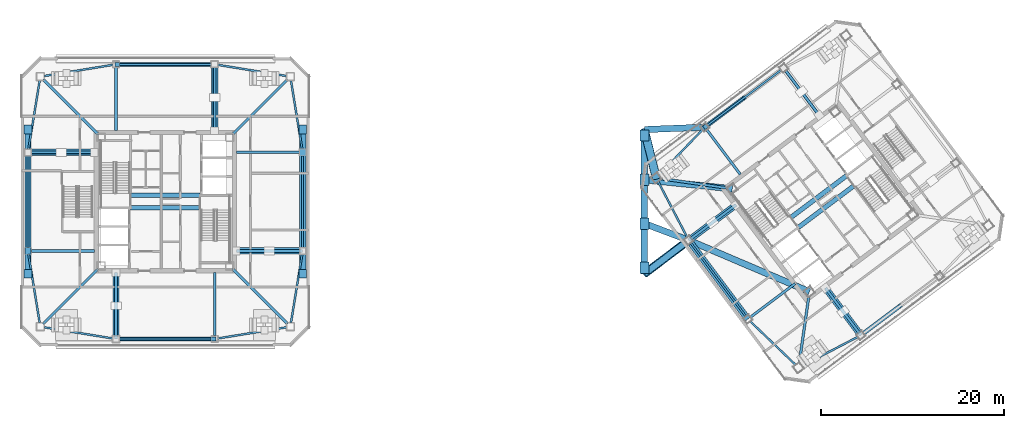
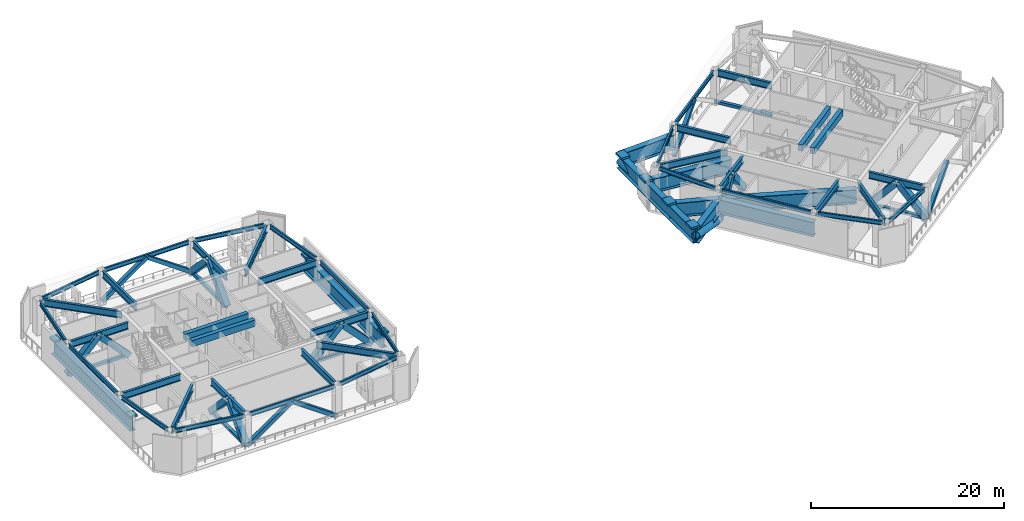
# One storey, part 3 of 15: 50 beams, 35 members.
"""IFC4 building model written with IfcOpenShell, lengths in metres."""

import ifcopenshell
import ifcopenshell.guid

model = None  # the IFC model being written
_history = None  # IfcOwnerHistory: only IFC2X3 demands one
_inside = {}  # id of a spatial element -> (the spatial element, [elements in it])
_under = {}  # id of a project, library or spatial element -> (it, [spatial elements below it])
_declared = {}  # id of a project -> (the project, [libraries it declares])
_typed = {}  # id of a type object -> (the type object, [elements of that type])
_made_of = {}  # id of a material, layer set ... -> (it, [elements and type objects made of it])


def new_model(schema):
    """Start an empty IFC model of exactly this schema.

    Asked for "IFC4X3", IfcOpenShell would pick the latest addendum, in which some entities
    have other attributes; the version numbers below select the first issue.
    IFC2X3 requires an IfcOwnerHistory on every rooted entity: one is made here for all.
    """
    global model, _history
    if schema == "IFC4X3":
        model = ifcopenshell.file(schema_version=(4, 3, 0, 0))
    else:
        model = ifcopenshell.file(schema=schema)
    _inside.clear()
    _under.clear()
    _declared.clear()
    _typed.clear()
    _made_of.clear()
    _history = None
    if model.schema == "IFC2X3":
        org = make("IfcOrganization", Name="unknown")
        user = make(
            "IfcPersonAndOrganization",
            ThePerson=make("IfcPerson", FamilyName="unknown"),
            TheOrganization=org,
        )
        app = make(
            "IfcApplication",
            ApplicationDeveloper=org,
            Version="unknown",
            ApplicationFullName="unknown",
            ApplicationIdentifier="unknown",
        )
        _history = make(
            "IfcOwnerHistory",
            OwningUser=user,
            OwningApplication=app,
            ChangeAction="ADDED",
            CreationDate=0,
        )
    return model


def make(cls, **values):
    """One entity of the class cls with the attributes given. An attribute that is None is left unset."""
    return model.create_entity(
        cls, **{name: value for name, value in values.items() if value is not None}
    )


def rooted(cls, **values):
    """An entity with a GlobalId (a new one), such as an element, a storey or a relation."""
    return make(cls, GlobalId=ifcopenshell.guid.new(), OwnerHistory=_history, **values)


def si_unit(unit_type, name, prefix=None):
    """IfcSIUnit, for example si_unit("LENGTHUNIT", "METRE", prefix="MILLI")."""
    return make("IfcSIUnit", UnitType=unit_type, Prefix=prefix, Name=name)


def assignment(units):
    """IfcUnitAssignment: the units of a project."""
    return None if units is None else make("IfcUnitAssignment", Units=units)


def point(xyz):
    """IfcCartesianPoint."""
    return None if xyz is None else make("IfcCartesianPoint", Coordinates=xyz)


def direction(xyz):
    """IfcDirection."""
    return None if xyz is None else make("IfcDirection", DirectionRatios=xyz)


def frame(location, z_axis=None, x_axis=None):
    """IfcAxis2Placement3D, a coordinate frame: its origin and axes. An axis left out is left unset."""
    return make(
        "IfcAxis2Placement3D",
        Location=point(location),
        Axis=direction(z_axis),
        RefDirection=direction(x_axis),
    )


def frame_2d(location, x_axis=None):
    """IfcAxis2Placement2D, a coordinate frame in the plane: its origin and x axis."""
    return make(
        "IfcAxis2Placement2D", Location=point(location), RefDirection=direction(x_axis)
    )


def origin():
    """The frame at (0, 0, 0) with its axes left unset."""
    return frame((0.0, 0.0, 0.0))


def origin_2d():
    """The frame at (0, 0) in the plane with its x axis left unset."""
    return frame_2d((0.0, 0.0))


def place(relative_to, where):
    """IfcLocalPlacement: puts the frame where relative to a parent placement (None: the world)."""
    return make(
        "IfcLocalPlacement", PlacementRelTo=relative_to, RelativePlacement=where
    )


def context(
    kind, dimensions, precision=None, world=None, true_north=None, identifier=None
):
    """IfcGeometricRepresentationContext, for example the 3D "Model" context."""
    return make(
        "IfcGeometricRepresentationContext",
        ContextIdentifier=identifier,
        ContextType=kind,
        CoordinateSpaceDimension=dimensions,
        Precision=precision,
        WorldCoordinateSystem=world,
        TrueNorth=true_north,
    )


def subcontext(parent, identifier, kind, view, scale=None):
    """IfcGeometricRepresentationSubContext, for example "Body" below "Model"."""
    return make(
        "IfcGeometricRepresentationSubContext",
        ContextIdentifier=identifier,
        ContextType=kind,
        ParentContext=parent,
        TargetScale=scale,
        TargetView=view,
    )


def project(units=None, contexts=None):
    """IfcProject with its units and contexts."""
    return rooted(
        "IfcProject",
        Name="project",
        RepresentationContexts=contexts,
        UnitsInContext=assignment(units),
    )


def spatial(cls, under=None, at=None, **own):
    """A site, building, storey or space (cls), placed at a placement, below another one or the project."""
    s = rooted(cls, ObjectPlacement=at, **own)
    if under is not None:
        _under.setdefault(under.id(), (under, []))[1].append(s)
    return s


def profile(cls, at=None, kind="AREA", **sizes):
    """A parametric profile (cls). Its sizes go by their IFC names, for example OverallWidth=200.0."""
    return make(cls, ProfileType=kind, Position=at, **sizes)


def rectangle(**sizes):
    """IfcRectangleProfileDef."""
    return profile("IfcRectangleProfileDef", **sizes)


def hollow_rectangle(**sizes):
    """IfcRectangleHollowProfileDef."""
    return profile("IfcRectangleHollowProfileDef", **sizes)


def hollow_circle(**sizes):
    """IfcCircleHollowProfileDef."""
    return profile("IfcCircleHollowProfileDef", **sizes)


def i_section(**sizes):
    """IfcIShapeProfileDef."""
    return profile("IfcIShapeProfileDef", **sizes)


def extrude(swept, where, along, depth):
    """IfcExtrudedAreaSolid: the profile swept, set in the frame where, extruded along a direction by depth."""
    return make(
        "IfcExtrudedAreaSolid",
        SweptArea=swept,
        Position=where,
        ExtrudedDirection=direction(along),
        Depth=depth,
    )


def shape(context_of_items, identifier, shape_type, items):
    """IfcShapeRepresentation: the items that make up one representation, for example the "Body"."""
    return make(
        "IfcShapeRepresentation",
        ContextOfItems=context_of_items,
        RepresentationIdentifier=identifier,
        RepresentationType=shape_type,
        Items=items,
    )


def material(Name=None, Category=None):
    """IfcMaterial."""
    return make("IfcMaterial", Name=Name, Category=Category)


def material_profile(
    of_material, cross_section, Name=None, Category=None, Priority=None
):
    """IfcMaterialProfile: a cross section and its material."""
    return make(
        "IfcMaterialProfile",
        Name=Name,
        Material=of_material,
        Profile=cross_section,
        Priority=Priority,
        Category=Category,
    )


def profile_set(profiles, Name=None, composite=None):
    """IfcMaterialProfileSet."""
    return make(
        "IfcMaterialProfileSet",
        Name=Name,
        MaterialProfiles=profiles,
        CompositeProfile=composite,
    )


def made_of(thing, what):
    """Note that an element or type object is made of a material, layer set ...; save() writes the relation."""
    if what is not None:
        _made_of.setdefault(what.id(), (what, []))[1].append(thing)
    return thing


def type_object(cls, material=None, **own):
    """A type object (cls), such as IfcWallType, which elements share."""
    return made_of(rooted(cls, **own), material)


def element(
    cls,
    number,
    at=None,
    inside=None,
    cuts=None,
    type_object=None,
    material=None,
    context=None,
    identifier="Body",
    shape_type=None,
    held_by="IfcProductDefinitionShape",
    body=None,
    shapes=None,
    **own,
):
    """One element of the class cls, such as IfcWall. Its Tag is "e" and its number.

    at: its placement. inside: the storey or other place that contains it. cuts: it is an
    opening in that element (IfcRelVoidsElement). A single representation is given by context,
    identifier, shape_type and body (its items); several are given by shapes. held_by: the class
    of the entity that holds the representations. save() writes the other relations.
    """
    e = rooted(cls, Tag="e%d" % number, ObjectPlacement=at, **own)
    if body is not None:
        shapes = [shape(context, identifier, shape_type, body)]
    if shapes is not None:
        e.Representation = make(held_by, Representations=shapes)
    if inside is not None:
        _inside.setdefault(inside.id(), (inside, []))[1].append(e)
    if cuts is not None:
        rooted(
            "IfcRelVoidsElement", RelatingBuildingElement=cuts, RelatedOpeningElement=e
        )
    if type_object is not None:
        _typed.setdefault(type_object.id(), (type_object, []))[1].append(e)
    return made_of(e, material)


def aggregate(whole, parts):
    """IfcRelAggregates: a whole, such as a stair, and the parts it consists of."""
    return rooted("IfcRelAggregates", RelatingObject=whole, RelatedObjects=parts)


def save(model, path):
    """Write the relations noted so far, then the file.

    IfcRelAggregates (storeys below a building ...), IfcRelContainedInSpatialStructure (elements
    in a storey), IfcRelDefinesByType, IfcRelAssociatesMaterial and IfcRelDeclares: one each for
    every whole, place, type object, material and project.
    """
    for whole, parts in _under.values():
        aggregate(whole, parts)
    for where, things in _inside.values():
        rooted(
            "IfcRelContainedInSpatialStructure",
            RelatedElements=things,
            RelatingStructure=where,
        )
    for kind, things in _typed.values():
        rooted("IfcRelDefinesByType", RelatedObjects=things, RelatingType=kind)
    for what, things in _made_of.values():
        rooted("IfcRelAssociatesMaterial", RelatedObjects=things, RelatingMaterial=what)
    for by, libraries in _declared.values():
        rooted("IfcRelDeclares", RelatingContext=by, RelatedDefinitions=libraries)
    model.write(path)


model = new_model("IFC4")

# Units and contexts
model_context = context("Model", 3, precision=1e-05, world=origin(), true_north=direction((0.0, 1.0)))
body_context = subcontext(model_context, "Body", "Model", "MODEL_VIEW")
ifc_project = project(units=[si_unit("LENGTHUNIT", "METRE"), si_unit("AREAUNIT", "SQUARE_METRE"), si_unit("VOLUMEUNIT", "CUBIC_METRE"), si_unit("PLANEANGLEUNIT", "RADIAN"), si_unit("MASSUNIT", "GRAM", prefix="KILO")], contexts=[model_context])

# Site, building, storey
site_placement = place(None, origin())
site = spatial("IfcSite", under=ifc_project, at=site_placement, CompositionType="ELEMENT")
building_placement = place(site_placement, origin())
building = spatial("IfcBuilding", under=site, at=building_placement, Name="Tashvorn Skyway Center", CompositionType="ELEMENT")
storey_placement = place(building_placement, frame((0.0, 0.0, 246.800048828125)))
storey = spatial("IfcBuildingStorey", under=building, at=storey_placement, Name="L67", CompositionType="ELEMENT", Elevation=246.800048828125)

# Beams
ifc_material_1 = material(Name="Steel ASTM A572 Grade 50", Category="steel")
ifc_material_profile_1 = material_profile(ifc_material_1, i_section(OverallWidth=0.699951171875, OverallDepth=1.800048828125, WebThickness=0.031982421875, FlangeThickness=0.050048828125, at=origin_2d()), Name="PG1800x700")
ifc_profile_set_1 = profile_set([ifc_material_profile_1], Name="Steel ASTM A572 Grade 50")
beam_type_1 = type_object("IfcBeamType", Name="BM-BEAM-PG1800x700", PredefinedType="BEAM", material=ifc_profile_set_1)
for number, where, z_axis, x_axis, name in (
    (1, (26.949951171875, 23.85009765625, 2.22900390625), (0.0, 1.0, 0.0), (-1.0, 0.0, 0.0), "Tower 1 Sky-Park Bearing Seat Girder 1"),
    (2, (57.050048828125, 23.85009765625, 2.22900390625), (0.0, 1.0, 0.0), (-1.0, 0.0, 0.0), "Tower 1 Sky-Park Bearing Seat Girder 2"),
):
    element("IfcBeam", number, at=place(storey_placement, frame(where, z_axis=z_axis, x_axis=x_axis)), inside=storey, type_object=beam_type_1, Name=name, PredefinedType="BEAM", context=body_context, shape_type="SweptSolid", body=[
        extrude(i_section(OverallWidth=0.699951171875, OverallDepth=1.800048828125, WebThickness=0.031982421875, FlangeThickness=0.050048828125, at=origin_2d()), origin(), (0.0, 0.0, 1.0), 16.2998046875),
    ])
beam_1_placement = place(storey_placement, frame((94.5, 24.10009765625, 2.218994140625), z_axis=(0.0, 1.0, 0.0), x_axis=(-1.0, 0.0, 0.0)))
element("IfcBeam", 3, at=beam_1_placement, inside=storey, type_object=beam_type_1, Name="Tower 2 Sky-Park Sliding Bearing Seat Header Girder", PredefinedType="BEAM", context=body_context, shape_type="SweptSolid", body=[
    extrude(i_section(OverallWidth=0.699951171875, OverallDepth=1.800048828125, WebThickness=0.031982421875, FlangeThickness=0.050048828125, at=origin_2d()), origin(), (0.0, 0.0, 1.0), 15.7998046875),
])
beam_2_placement = place(storey_placement, frame((94.5, 24.10009765625, 2.218994140625), z_axis=(0.798037827961, 0.6026073557, 0.0), x_axis=(-0.6026073557, 0.798037827961, 0.0)))
element("IfcBeam", 4, at=beam_2_placement, inside=storey, type_object=beam_type_1, Name="Tower 2 Sky-Park Seat Corbel Tie Girder CT1", PredefinedType="BEAM", context=body_context, shape_type="SweptSolid", body=[
    extrude(i_section(OverallWidth=0.699951171875, OverallDepth=1.800048828125, WebThickness=0.031982421875, FlangeThickness=0.050048828125, at=origin_2d()), origin(), (0.0, 0.0, 1.0), 6.090087890625),
])
beam_3_placement = place(storey_placement, frame((99.360107421875, 27.77001953125, 2.218994140625), z_axis=(0.919894955815, -0.392164850881, 0.0), x_axis=(0.392164850881, 0.919894955815, 0.0)))
element("IfcBeam", 5, at=beam_3_placement, inside=storey, type_object=beam_type_1, Name="Tower 2 Sky-Park Seat Corbel Tie Girder CT2", PredefinedType="BEAM", context=body_context, shape_type="SweptSolid", body=[
    extrude(i_section(OverallWidth=0.699951171875, OverallDepth=1.800048828125, WebThickness=0.031982421875, FlangeThickness=0.050048828125, at=origin_2d()), origin(), (0.0, 0.0, 1.0), 14.382080078125),
])
beam_4_placement = place(storey_placement, frame((94.5, 29.60009765625, 2.218994140625), z_axis=(0.935851117406, -0.352395638523, 0.0), x_axis=(0.352395638523, 0.935851117406, 0.0)))
element("IfcBeam", 6, at=beam_4_placement, inside=storey, type_object=beam_type_1, Name="Tower 2 Sky-Park Seat Corbel Tie Girder CT2B", PredefinedType="BEAM", context=body_context, shape_type="SweptSolid", body=[
    extrude(i_section(OverallWidth=0.699951171875, OverallDepth=1.800048828125, WebThickness=0.031982421875, FlangeThickness=0.050048828125, at=origin_2d()), origin(), (0.0, 0.0, 1.0), 5.193359375),
])
beam_5_placement = place(storey_placement, frame((94.5, 34.39990234375, 2.218994140625), z_axis=(0.994757192009, -0.102264993753, 0.0), x_axis=(0.102264993753, 0.994757192009, 0.0)))
element("IfcBeam", 7, at=beam_5_placement, inside=storey, type_object=beam_type_1, Name="Tower 2 Sky-Park Seat Corbel Tie Girder CT3", PredefinedType="BEAM", context=body_context, shape_type="SweptSolid", body=[
    extrude(i_section(OverallWidth=0.699951171875, OverallDepth=1.800048828125, WebThickness=0.031982421875, FlangeThickness=0.050048828125, at=origin_2d()), origin(), (0.0, 0.0, 1.0), 9.6806640625),
])
beam_6_placement = place(storey_placement, frame((94.5, 39.89990234375, 2.218994140625), z_axis=(0.999231865978, 0.039187727842, 0.0), x_axis=(-0.039187727842, 0.999231865978, 0.0)))
element("IfcBeam", 8, at=beam_6_placement, inside=storey, type_object=beam_type_1, Name="Tower 2 Sky-Park Seat Corbel Tie Girder CT5", PredefinedType="BEAM", context=body_context, shape_type="SweptSolid", body=[
    extrude(i_section(OverallWidth=0.699951171875, OverallDepth=1.800048828125, WebThickness=0.031982421875, FlangeThickness=0.050048828125, at=origin_2d()), origin(), (0.0, 0.0, 1.0), 6.635009765625),
])
beam_7_placement = place(storey_placement, frame((99.360107421875, 27.77001953125, 2.218994140625), z_axis=(0.599992766245, -0.800005425265, 0.0), x_axis=(0.800005425265, 0.599992766245, 0.0)))
element("IfcBeam", 9, at=beam_7_placement, inside=storey, type_object=beam_type_1, Name="Tower 2 Sky-Park Seat Corbel Tie Girder CT6", PredefinedType="BEAM", context=body_context, shape_type="SweptSolid", body=[
    extrude(i_section(OverallWidth=0.699951171875, OverallDepth=1.800048828125, WebThickness=0.031982421875, FlangeThickness=0.050048828125, at=origin_2d()), origin(), (0.0, 0.0, 1.0), 10.800048828125),
])
ifc_material_2 = material(Name="Steel ASTM A992 Grade 50", Category="steel")
ifc_material_profile_2 = material_profile(ifc_material_2, i_section(OverallWidth=0.2919921875, OverallDepth=0.85888671875, WebThickness=0.01708984375, FlangeThickness=0.031005859375, at=origin_2d()), Name="W33X169")
ifc_profile_set_2 = profile_set([ifc_material_profile_2], Name="Steel ASTM A992 Grade 50")
beam_type_2 = type_object("IfcBeamType", Name="BM-BEAM-W33X169", PredefinedType="BEAM", material=ifc_profile_set_2)
for number, where, z_axis, x_axis, name in (
    (10, (28.61474609375, 18.61474609375, 3.950439453125), (0.707106781187, 0.707106781187, 0.0), (-0.707106781187, 0.707106781187, 0.0), "Tower 1 L67 Primary Floor Girder MC-SW"),
    (11, (55.38525390625, 18.61474609375, 3.950439453125), (-0.707106781187, 0.707106781187, 0.0), (-0.707106781187, -0.707106781187, 0.0), "Tower 1 L67 Primary Floor Girder MC-SE"),
    (12, (55.38525390625, 45.38525390625, 3.950439453125), (-0.707106781187, -0.707106781187, 0.0), (0.707106781187, -0.707106781187, 0.0), "Tower 1 L67 Primary Floor Girder MC-NE"),
    (13, (28.61474609375, 45.38525390625, 3.950439453125), (0.707106781187, -0.707106781187, 0.0), (0.707106781187, 0.707106781187, 0.0), "Tower 1 L67 Primary Floor Girder MC-NW"),
):
    element("IfcBeam", number, at=place(storey_placement, frame(where, z_axis=z_axis, x_axis=x_axis)), inside=storey, type_object=beam_type_2, Name=name, PredefinedType="BEAM", context=body_context, shape_type="SweptSolid", body=[
        extrude(i_section(OverallWidth=0.2919921875, OverallDepth=0.85888671875, WebThickness=0.01708984375, FlangeThickness=0.031005859375, at=origin_2d()), origin(), (0.0, 0.0, 1.0), 8.514404296875),
    ])
for number, where, z_axis, x_axis, name in (
    (14, (36.60009765625, 17.320068359375, 3.950439453125), (0.0, 1.0, 0.0), (-1.0, 0.0, 0.0), "Tower 1 L67 Primary Floor Girder FC-S1"),
    (15, (47.39990234375, 17.320068359375, 3.950439453125), (0.0, 1.0, 0.0), (-1.0, 0.0, 0.0), "Tower 1 L67 Primary Floor Girder FC-S2"),
    (16, (56.679931640625, 26.60009765625, 3.950439453125), (-1.0, 0.0, 0.0), (0.0, -1.0, 0.0), "Tower 1 L67 Primary Floor Girder FC-E1"),
    (17, (56.679931640625, 37.39990234375, 3.950439453125), (-1.0, 0.0, 0.0), (0.0, -1.0, 0.0), "Tower 1 L67 Primary Floor Girder FC-E2"),
    (18, (47.39990234375, 46.679931640625, 3.950439453125), (0.0, -1.0, 0.0), (1.0, 0.0, 0.0), "Tower 1 L67 Primary Floor Girder FC-N1"),
    (19, (36.60009765625, 46.679931640625, 3.950439453125), (0.0, -1.0, 0.0), (1.0, 0.0, 0.0), "Tower 1 L67 Primary Floor Girder FC-N2"),
    (20, (27.320068359375, 37.39990234375, 3.950439453125), (1.0, 0.0, 0.0), (0.0, 1.0, 0.0), "Tower 1 L67 Primary Floor Girder FC-W1"),
    (21, (27.320068359375, 26.60009765625, 3.950439453125), (1.0, 0.0, 0.0), (0.0, 1.0, 0.0), "Tower 1 L67 Primary Floor Girder FC-W2"),
):
    element("IfcBeam", number, at=place(storey_placement, frame(where, z_axis=z_axis, x_axis=x_axis)), inside=storey, type_object=beam_type_2, Name=name, PredefinedType="BEAM", context=body_context, shape_type="SweptSolid", body=[
        extrude(i_section(OverallWidth=0.2919921875, OverallDepth=0.85888671875, WebThickness=0.01708984375, FlangeThickness=0.031005859375, at=origin_2d()), origin(), (0.0, 0.0, 1.0), 6.89990234375),
    ])
for number, where, z_axis, x_axis, name in (
    (22, (111.462890625, 14.240478515625, 3.950439453125), (0.141430441004, 0.989948195795, 0.0), (-0.989948195795, 0.141430441004, 0.0), "Tower 2 L67 Primary Floor Girder MC-SW"),
    (23, (96.240478515625, 34.537109375, 3.950439453125), (0.989948195795, -0.141430441004, 0.0), (0.141430441004, 0.989948195795, 0.0), "Tower 2 L67 Primary Floor Girder MC-NW"),
):
    element("IfcBeam", number, at=place(storey_placement, frame(where, z_axis=z_axis, x_axis=x_axis)), inside=storey, type_object=beam_type_2, Name=name, PredefinedType="BEAM", context=body_context, shape_type="SweptSolid", body=[
        extrude(i_section(OverallWidth=0.2919921875, OverallDepth=0.85888671875, WebThickness=0.01708984375, FlangeThickness=0.031005859375, at=origin_2d()), origin(), (0.0, 0.0, 1.0), 7.524658203125),
    ])
for number, where, z_axis, x_axis, name in (
    (24, (118.008056640625, 17.656005859375, 3.950439453125), (-0.600025614447, 0.799980788524, 0.0), (-0.799980788524, -0.600025614447, 0.0), "Tower 2 L67 Primary Floor Girder FC-S1"),
    (25, (109.991943359375, 46.343994140625, 3.950439453125), (0.600025614447, -0.799980788524, 0.0), (0.799980788524, 0.600025614447, 0.0), "Tower 2 L67 Primary Floor Girder FC-N1"),
    (26, (101.35205078125, 39.864013671875, 3.950439453125), (0.599980788915, -0.800014407953, 0.0), (0.800014407953, 0.599980788915, 0.0), "Tower 2 L67 Primary Floor Girder FC-N2"),
    (27, (99.656005859375, 27.991943359375, 3.950439453125), (0.799980788524, 0.600025614447, 0.0), (-0.600025614447, 0.799980788524, 0.0), "Tower 2 L67 Primary Floor Girder FC-W1"),
    (28, (106.135986328125, 19.35205078125, 3.950439453125), (0.800014407953, 0.599980788915, 0.0), (-0.599980788915, 0.800014407953, 0.0), "Tower 2 L67 Primary Floor Girder FC-W2"),
):
    element("IfcBeam", number, at=place(storey_placement, frame(where, z_axis=z_axis, x_axis=x_axis)), inside=storey, type_object=beam_type_2, Name=name, PredefinedType="BEAM", context=body_context, shape_type="SweptSolid", body=[
        extrude(i_section(OverallWidth=0.2919921875, OverallDepth=0.85888671875, WebThickness=0.01708984375, FlangeThickness=0.031005859375, at=origin_2d()), origin(), (0.0, 0.0, 1.0), 6.10009765625),
    ])
ifc_material_3 = material(Name="Concrete C50/60", Category="concrete")
ifc_material_profile_3 = material_profile(ifc_material_3, rectangle(XDim=0.5, YDim=0.800048828125, at=origin_2d()), Name="RCB500x800")
ifc_profile_set_3 = profile_set([ifc_material_profile_3], Name="Concrete C50/60")
beam_type_3 = type_object("IfcBeamType", Name="BM-LINTEL-RCB500x800", PredefinedType="LINTEL", material=ifc_profile_set_3)
for number, where, z_axis, x_axis, name in (
    (29, (38.199951171875, 32.679931640625, 3.97998046875), (1.0, 0.0, 0.0), (0.0, 1.0, 0.0), "Tower 1 L67 Core Coupling Beam CN"),
    (30, (38.199951171875, 31.320068359375, 3.97998046875), (1.0, 0.0, 0.0), (0.0, 1.0, 0.0), "Tower 1 L67 Core Coupling Beam CS"),
    (31, (110.552001953125, 30.263916015625, 3.97998046875), (0.8, 0.6, 0.0), (-0.6, 0.8, 0.0), "Tower 2 L67 Core Coupling Beam CN"),
    (32, (111.367919921875, 29.176025390625, 3.97998046875), (0.8, 0.6, 0.0), (-0.6, 0.8, 0.0), "Tower 2 L67 Core Coupling Beam CS"),
):
    element("IfcBeam", number, at=place(storey_placement, frame(where, z_axis=z_axis, x_axis=x_axis)), inside=storey, type_object=beam_type_3, Name=name, PredefinedType="LINTEL", context=body_context, shape_type="SweptSolid", body=[
        extrude(rectangle(XDim=0.5, YDim=0.800048828125, at=origin_2d()), origin(), (0.0, 0.0, 1.0), 7.60009765625),
    ])
ifc_material_profile_4 = material_profile(ifc_material_2, i_section(OverallWidth=0.2109375, OverallDepth=0.5390625, WebThickness=0.01171875, FlangeThickness=0.018798828125, at=origin_2d()), Name="W21X73")
ifc_profile_set_4 = profile_set([ifc_material_profile_4], Name="Steel ASTM A992 Grade 50")
beam_type_4 = type_object("IfcBeamType", Name="BM-SPANDREL-W21X73", PredefinedType="SPANDREL", material=ifc_profile_set_4)
beam_8_placement = place(storey_placement, frame((28.7392578125, 18.228515625, 4.1103515625), z_axis=(0.987032749583, -0.160519005885, 0.0), x_axis=(0.160519005885, 0.987032749583, 0.0)))
element("IfcBeam", 33, at=beam_8_placement, inside=storey, type_object=beam_type_4, Name="Tower 1 L67 Spandrel Beam 01", PredefinedType="SPANDREL", context=body_context, shape_type="SweptSolid", body=[
    extrude(i_section(OverallWidth=0.2109375, OverallDepth=0.5390625, WebThickness=0.01171875, FlangeThickness=0.018798828125, at=origin_2d()), origin(), (0.0, 0.0, 1.0), 7.593994140625),
])
beam_9_placement = place(storey_placement, frame((36.969970703125, 16.949951171875, 4.1103515625), z_axis=(1.0, 0.0, 0.0), x_axis=(0.0, 1.0, 0.0)))
element("IfcBeam", 34, at=beam_9_placement, inside=storey, type_object=beam_type_4, Name="Tower 1 L67 Spandrel Beam 02", PredefinedType="SPANDREL", context=body_context, shape_type="SweptSolid", body=[
    extrude(i_section(OverallWidth=0.2109375, OverallDepth=0.5390625, WebThickness=0.01171875, FlangeThickness=0.018798828125, at=origin_2d()), origin(), (0.0, 0.0, 1.0), 10.06005859375),
])
for number, where, z_axis, x_axis, name in (
    (35, (47.76513671875, 17.009521484375, 4.1103515625), (0.987032749583, 0.160519005885, 0.0), (-0.160519005885, 0.987032749583, 0.0), "Tower 1 L67 Spandrel Beam 03"),
    (36, (55.771484375, 18.7392578125, 4.1103515625), (0.160519005885, 0.987032749583, 0.0), (-0.987032749583, 0.160519005885, 0.0), "Tower 1 L67 Spandrel Beam 04"),
):
    element("IfcBeam", number, at=place(storey_placement, frame(where, z_axis=z_axis, x_axis=x_axis)), inside=storey, type_object=beam_type_4, Name=name, PredefinedType="SPANDREL", context=body_context, shape_type="SweptSolid", body=[
        extrude(i_section(OverallWidth=0.2109375, OverallDepth=0.5390625, WebThickness=0.01171875, FlangeThickness=0.018798828125, at=origin_2d()), origin(), (0.0, 0.0, 1.0), 7.593994140625),
    ])
beam_10_placement = place(storey_placement, frame((57.050048828125, 26.969970703125, 4.1103515625), z_axis=(0.0, 1.0, 0.0), x_axis=(-1.0, 0.0, 0.0)))
element("IfcBeam", 37, at=beam_10_placement, inside=storey, type_object=beam_type_4, Name="Tower 1 L67 Spandrel Beam 05", PredefinedType="SPANDREL", context=body_context, shape_type="SweptSolid", body=[
    extrude(i_section(OverallWidth=0.2109375, OverallDepth=0.5390625, WebThickness=0.01171875, FlangeThickness=0.018798828125, at=origin_2d()), origin(), (0.0, 0.0, 1.0), 10.06005859375),
])
for number, where, z_axis, x_axis, name in (
    (38, (56.990478515625, 37.76513671875, 4.1103515625), (-0.160519005885, 0.987032749583, 0.0), (-0.987032749583, -0.160519005885, 0.0), "Tower 1 L67 Spandrel Beam 06"),
    (39, (55.2607421875, 45.771484375, 4.1103515625), (-0.987032749583, 0.160519005885, 0.0), (-0.160519005885, -0.987032749583, 0.0), "Tower 1 L67 Spandrel Beam 07"),
):
    element("IfcBeam", number, at=place(storey_placement, frame(where, z_axis=z_axis, x_axis=x_axis)), inside=storey, type_object=beam_type_4, Name=name, PredefinedType="SPANDREL", context=body_context, shape_type="SweptSolid", body=[
        extrude(i_section(OverallWidth=0.2109375, OverallDepth=0.5390625, WebThickness=0.01171875, FlangeThickness=0.018798828125, at=origin_2d()), origin(), (0.0, 0.0, 1.0), 7.593994140625),
    ])
beam_11_placement = place(storey_placement, frame((47.030029296875, 47.050048828125, 4.1103515625), z_axis=(-1.0, 0.0, 0.0), x_axis=(0.0, -1.0, 0.0)))
element("IfcBeam", 40, at=beam_11_placement, inside=storey, type_object=beam_type_4, Name="Tower 1 L67 Spandrel Beam 08", PredefinedType="SPANDREL", context=body_context, shape_type="SweptSolid", body=[
    extrude(i_section(OverallWidth=0.2109375, OverallDepth=0.5390625, WebThickness=0.01171875, FlangeThickness=0.018798828125, at=origin_2d()), origin(), (0.0, 0.0, 1.0), 10.06005859375),
])
for number, where, z_axis, x_axis, name in (
    (41, (36.23486328125, 46.990478515625, 4.1103515625), (-0.987032749583, -0.160519005885, 0.0), (0.160519005885, -0.987032749583, 0.0), "Tower 1 L67 Spandrel Beam 09"),
    (42, (28.228515625, 45.2607421875, 4.1103515625), (-0.160519005885, -0.987032749583, 0.0), (0.987032749583, -0.160519005885, 0.0), "Tower 1 L67 Spandrel Beam 10"),
):
    element("IfcBeam", number, at=place(storey_placement, frame(where, z_axis=z_axis, x_axis=x_axis)), inside=storey, type_object=beam_type_4, Name=name, PredefinedType="SPANDREL", context=body_context, shape_type="SweptSolid", body=[
        extrude(i_section(OverallWidth=0.2109375, OverallDepth=0.5390625, WebThickness=0.01171875, FlangeThickness=0.018798828125, at=origin_2d()), origin(), (0.0, 0.0, 1.0), 7.593994140625),
    ])
beam_12_placement = place(storey_placement, frame((26.949951171875, 37.030029296875, 4.1103515625), z_axis=(0.0, -1.0, 0.0), x_axis=(1.0, 0.0, 0.0)))
element("IfcBeam", 43, at=beam_12_placement, inside=storey, type_object=beam_type_4, Name="Tower 1 L67 Spandrel Beam 11", PredefinedType="SPANDREL", context=body_context, shape_type="SweptSolid", body=[
    extrude(i_section(OverallWidth=0.2109375, OverallDepth=0.5390625, WebThickness=0.01171875, FlangeThickness=0.018798828125, at=origin_2d()), origin(), (0.0, 0.0, 1.0), 10.06005859375),
])
beam_13_placement = place(storey_placement, frame((27.009521484375, 26.23486328125, 4.1103515625), z_axis=(0.160519005885, -0.987032749583, 0.0), x_axis=(0.987032749583, 0.160519005885, 0.0)))
element("IfcBeam", 44, at=beam_13_placement, inside=storey, type_object=beam_type_4, Name="Tower 1 L67 Spandrel Beam 12", PredefinedType="SPANDREL", context=body_context, shape_type="SweptSolid", body=[
    extrude(i_section(OverallWidth=0.2109375, OverallDepth=0.5390625, WebThickness=0.01171875, FlangeThickness=0.018798828125, at=origin_2d()), origin(), (0.0, 0.0, 1.0), 7.593994140625),
])
beam_14_placement = place(storey_placement, frame((111.794677734375, 14.005615234375, 4.1103515625), z_axis=(0.886763659136, 0.462223120187, 0.0), x_axis=(-0.462223120187, 0.886763659136, 0.0)))
element("IfcBeam", 45, at=beam_14_placement, inside=storey, type_object=beam_type_4, Name="Tower 2 L67 Spandrel Beam 01", PredefinedType="SPANDREL", context=body_context, shape_type="SweptSolid", body=[
    extrude(i_section(OverallWidth=0.2109375, OverallDepth=0.5390625, WebThickness=0.01171875, FlangeThickness=0.018798828125, at=origin_2d()), origin(), (0.0, 0.0, 1.0), 6.886962890625),
])
beam_15_placement = place(storey_placement, frame((109.47412109375, 46.41796875, 4.1103515625), z_axis=(-0.800008736549, -0.599988351091, 0.0), x_axis=(0.599988351091, -0.800008736549, 0.0)))
element("IfcBeam", 46, at=beam_15_placement, inside=storey, type_object=beam_type_4, Name="Tower 2 L67 Spandrel Beam 08", PredefinedType="SPANDREL", context=body_context, shape_type="SweptSolid", body=[
    extrude(i_section(OverallWidth=0.2109375, OverallDepth=0.5390625, WebThickness=0.01171875, FlangeThickness=0.018798828125, at=origin_2d()), origin(), (0.0, 0.0, 1.0), 10.06005859375),
])
beam_16_placement = place(storey_placement, frame((100.8740234375, 39.892822265625, 4.1103515625), z_axis=(-0.692025461493, -0.721873091786, 0.0), x_axis=(0.721873091786, -0.692025461493, 0.0)))
element("IfcBeam", 47, at=beam_16_placement, inside=storey, type_object=beam_type_4, Name="Tower 2 L67 Spandrel Beam 09", PredefinedType="SPANDREL", context=body_context, shape_type="SweptSolid", body=[
    extrude(i_section(OverallWidth=0.2109375, OverallDepth=0.5390625, WebThickness=0.01171875, FlangeThickness=0.018798828125, at=origin_2d()), origin(), (0.0, 0.0, 1.0), 6.88720703125),
])
beam_17_placement = place(storey_placement, frame((96.005615234375, 34.205322265625, 4.1103515625), z_axis=(0.462223120187, -0.886763659136, 0.0), x_axis=(0.886763659136, 0.462223120187, 0.0)))
element("IfcBeam", 48, at=beam_17_placement, inside=storey, type_object=beam_type_4, Name="Tower 2 L67 Spandrel Beam 10", PredefinedType="SPANDREL", context=body_context, shape_type="SweptSolid", body=[
    extrude(i_section(OverallWidth=0.2109375, OverallDepth=0.5390625, WebThickness=0.01171875, FlangeThickness=0.018798828125, at=origin_2d()), origin(), (0.0, 0.0, 1.0), 6.886962890625),
])
beam_18_placement = place(storey_placement, frame((99.58203125, 27.47412109375, 4.1103515625), z_axis=(0.599988351091, -0.800008736549, 0.0), x_axis=(0.800008736549, 0.599988351091, 0.0)))
element("IfcBeam", 49, at=beam_18_placement, inside=storey, type_object=beam_type_4, Name="Tower 2 L67 Spandrel Beam 11", PredefinedType="SPANDREL", context=body_context, shape_type="SweptSolid", body=[
    extrude(i_section(OverallWidth=0.2109375, OverallDepth=0.5390625, WebThickness=0.01171875, FlangeThickness=0.018798828125, at=origin_2d()), origin(), (0.0, 0.0, 1.0), 10.06005859375),
])
beam_19_placement = place(storey_placement, frame((106.107177734375, 18.8740234375, 4.1103515625), z_axis=(0.721873091786, -0.692025461493, 0.0), x_axis=(0.692025461493, 0.721873091786, 0.0)))
element("IfcBeam", 50, at=beam_19_placement, inside=storey, type_object=beam_type_4, Name="Tower 2 L67 Spandrel Beam 12", PredefinedType="SPANDREL", context=body_context, shape_type="SweptSolid", body=[
    extrude(i_section(OverallWidth=0.2109375, OverallDepth=0.5390625, WebThickness=0.01171875, FlangeThickness=0.018798828125, at=origin_2d()), origin(), (0.0, 0.0, 1.0), 6.88720703125),
])

# Members
ifc_material_profile_5 = material_profile(ifc_material_1, hollow_rectangle(XDim=0.449951171875, YDim=0.449951171875, WallThickness=0.01611328125, at=origin_2d()), Name="HSS450x450x16")
ifc_profile_set_5 = profile_set([ifc_material_profile_5], Name="Steel ASTM A572 Grade 50")
member_type_1 = type_object("IfcMemberType", Name="MEM-BT-450", PredefinedType="BRACE", material=ifc_profile_set_5)
for number, where, z_axis, x_axis, name in (
    (51, (36.60009765625, 16.949951171875, 0.25), (0.819224960141, 0.0, 0.573472287633), (0.0, 1.0, 0.0), "Tower 1 L67 Perimeter Belt Truss BS-1"),
    (52, (42.0, 16.949951171875, 4.030029296875), (0.819224960141, 0.0, -0.573472287633), (0.0, 1.0, 0.0), "Tower 1 L67 Perimeter Belt Truss BS-2"),
    (53, (36.60009765625, 47.050048828125, 0.25), (0.819224960141, 0.0, 0.573472287633), (0.0, 1.0, 0.0), "Tower 1 L67 Perimeter Belt Truss BN-1"),
    (54, (42.0, 47.050048828125, 4.030029296875), (0.819224960141, 0.0, -0.573472287633), (0.0, 1.0, 0.0), "Tower 1 L67 Perimeter Belt Truss BN-2"),
    (55, (118.22998046875, 17.360107421875, 0.25), (0.655390259384, 0.491533434998, 0.573461847191), (-0.599992766245, 0.800005425265, 0.0), "Tower 2 L67 Perimeter Belt Truss BS-1"),
    (56, (101.1298828125, 40.159912109375, 0.25), (0.655390259384, 0.491533434998, 0.573461847191), (-0.599992766245, 0.800005425265, 0.0), "Tower 2 L67 Perimeter Belt Truss BN-1"),
):
    element("IfcMember", number, at=place(storey_placement, frame(where, z_axis=z_axis, x_axis=x_axis)), inside=storey, type_object=member_type_1, Name=name, PredefinedType="BRACE", context=body_context, shape_type="SweptSolid", body=[
        extrude(hollow_rectangle(XDim=0.449951171875, YDim=0.449951171875, WallThickness=0.01611328125, at=origin_2d()), origin(), (0.0, 0.0, 1.0), 6.591552734375),
    ])
ifc_material_profile_6 = material_profile(ifc_material_1, hollow_rectangle(XDim=0.35009765625, YDim=0.35009765625, WallThickness=0.01611328125, at=origin_2d()), Name="HSS350x350x16")
ifc_profile_set_6 = profile_set([ifc_material_profile_6], Name="Steel ASTM A572 Grade 50")
member_type_2 = type_object("IfcMemberType", Name="MEM-BT-CHD-350", PredefinedType="CHORD", material=ifc_profile_set_6)
for number, where, z_axis, x_axis, name in (
    (57, (47.39990234375, 39.780029296875, 0.25), (0.0, 1.0, 0.0), (-1.0, 0.0, 0.0), "Tower 1 L67 Outrigger Bottom Chord N1"),
    (58, (36.60009765625, 24.219970703125, 0.25), (0.0, -1.0, 0.0), (1.0, 0.0, 0.0), "Tower 1 L67 Outrigger Bottom Chord S1"),
    (59, (49.780029296875, 26.60009765625, 0.25), (1.0, 0.0, 0.0), (0.0, 1.0, 0.0), "Tower 1 L67 Outrigger Bottom Chord E1"),
    (60, (34.219970703125, 37.39990234375, 0.25), (-1.0, 0.0, 0.0), (0.0, -1.0, 0.0), "Tower 1 L67 Outrigger Bottom Chord W1"),
):
    element("IfcMember", number, at=place(storey_placement, frame(where, z_axis=z_axis, x_axis=x_axis)), inside=storey, type_object=member_type_2, Name=name, PredefinedType="CHORD", context=body_context, shape_type="SweptSolid", body=[
        extrude(hollow_rectangle(XDim=0.35009765625, YDim=0.35009765625, WallThickness=0.01611328125, at=origin_2d()), origin(), (0.0, 0.0, 1.0), 7.27001953125),
    ])
for number, where, z_axis, x_axis, name in (
    (61, (113.652099609375, 41.464111328125, 0.25), (-0.600024150123, 0.799981886838, 0.0), (-0.799981886838, -0.600024150123, 0.0), "Tower 2 L67 Outrigger Bottom Chord N1"),
    (62, (114.347900390625, 22.535888671875, 0.25), (0.600024150123, -0.799981886838, 0.0), (0.799981886838, 0.600024150123, 0.0), "Tower 2 L67 Outrigger Bottom Chord S1"),
    (63, (104.535888671875, 31.652099609375, 0.25), (-0.799981886838, -0.600024150123, 0.0), (0.600024150123, -0.799981886838, 0.0), "Tower 2 L67 Outrigger Bottom Chord W1"),
):
    element("IfcMember", number, at=place(storey_placement, frame(where, z_axis=z_axis, x_axis=x_axis)), inside=storey, type_object=member_type_2, Name=name, PredefinedType="CHORD", context=body_context, shape_type="SweptSolid", body=[
        extrude(hollow_rectangle(XDim=0.35009765625, YDim=0.35009765625, WallThickness=0.01611328125, at=origin_2d()), origin(), (0.0, 0.0, 1.0), 6.469970703125),
    ])
ifc_material_profile_7 = material_profile(ifc_material_1, hollow_circle(Radius=0.45703125, WallThickness=0.031982421875, at=origin_2d()), Name="CHS914x32")
ifc_profile_set_7 = profile_set([ifc_material_profile_7], Name="Steel ASTM A572 Grade 50")
member_type_3 = type_object("IfcMemberType", Name="MEM-MS-914", PredefinedType="STRUT", material=ifc_profile_set_7)
member_1_placement = place(storey_placement, frame((99.360107421875, 27.77001953125, 0.39990234375), z_axis=(-0.764655088563, -0.577399673044, 0.286203097648), x_axis=(0.6026073557, -0.798037827961, 0.0)))
element("IfcMember", 64, at=member_1_placement, inside=storey, type_object=member_type_3, Name="Tower 2 Sky-Park Seat Knee-Strut South", PredefinedType="STRUT", context=body_context, shape_type="SweptSolid", body=[
    extrude(hollow_circle(Radius=0.45703125, WallThickness=0.031982421875, at=origin_2d()), origin(), (0.0, 0.0, 1.0), 6.35595703125),
])
member_2_placement = place(storey_placement, frame((95.800048828125, 34.60009765625, 0.39990234375), z_axis=(-0.226011206249, 0.921361739953, 0.316245915072), x_axis=(-0.971206742576, -0.238238248766, 0.0)))
element("IfcMember", 65, at=member_2_placement, inside=storey, type_object=member_type_3, Name="Tower 2 Sky-Park Seat Knee-Strut North", PredefinedType="STRUT", context=body_context, shape_type="SweptSolid", body=[
    extrude(hollow_circle(Radius=0.45703125, WallThickness=0.031982421875, at=origin_2d()), origin(), (0.0, 0.0, 1.0), 5.752197265625),
])
ifc_material_profile_8 = material_profile(ifc_material_1, hollow_rectangle(XDim=0.699951171875, YDim=0.699951171875, WallThickness=0.028076171875, at=origin_2d()), Name="BOX700x700x28")
ifc_profile_set_8 = profile_set([ifc_material_profile_8], Name="Steel ASTM A572 Grade 50")
member_type_4 = type_object("IfcMemberType", Name="MEM-OB-700", PredefinedType="BRACE", material=ifc_profile_set_8)
for number, where, z_axis, x_axis, name in (
    (66, (47.39990234375, 39.780029296875, 0.25), (0.0, 0.693144999713, 0.720798175201), (-1.0, 0.0, 0.0), "Tower 1 L67 Outrigger Truss Diagonal N1-1"),
    (67, (47.39990234375, 43.4150390625, 4.030029296875), (0.0, 0.693144999713, -0.720798175201), (-1.0, 0.0, 0.0), "Tower 1 L67 Outrigger Truss Diagonal N1-2"),
    (68, (36.60009765625, 24.219970703125, 0.25), (0.0, -0.693144999713, 0.720798175201), (1.0, 0.0, 0.0), "Tower 1 L67 Outrigger Truss Diagonal S1-1"),
    (69, (36.60009765625, 20.5849609375, 4.030029296875), (0.0, -0.693144999713, -0.720798175201), (1.0, 0.0, 0.0), "Tower 1 L67 Outrigger Truss Diagonal S1-2"),
    (70, (49.780029296875, 26.60009765625, 0.25), (0.693144999713, 0.0, 0.720798175201), (0.0, 1.0, 0.0), "Tower 1 L67 Outrigger Truss Diagonal E1-1"),
    (71, (53.4150390625, 26.60009765625, 4.030029296875), (0.693144999713, 0.0, -0.720798175201), (0.0, 1.0, 0.0), "Tower 1 L67 Outrigger Truss Diagonal E1-2"),
    (72, (34.219970703125, 37.39990234375, 0.25), (-0.693144999713, 0.0, 0.720798175201), (0.0, -1.0, 0.0), "Tower 1 L67 Outrigger Truss Diagonal W1-1"),
    (73, (30.5849609375, 37.39990234375, 4.030029296875), (-0.693144999713, 0.0, -0.720798175201), (0.0, -1.0, 0.0), "Tower 1 L67 Outrigger Truss Diagonal W1-2"),
):
    element("IfcMember", number, at=place(storey_placement, frame(where, z_axis=z_axis, x_axis=x_axis)), inside=storey, type_object=member_type_4, Name=name, PredefinedType="BRACE", context=body_context, shape_type="SweptSolid", body=[
        extrude(hollow_rectangle(XDim=0.699951171875, YDim=0.699951171875, WallThickness=0.028076171875, at=origin_2d()), origin(), (0.0, 0.0, 1.0), 5.244140625),
    ])
for number, where, z_axis, x_axis, name in (
    (74, (114.347900390625, 22.535888671875, 0.25), (0.390157450122, -0.520144506514, 0.759754471166), (0.799963773767, 0.600048298606, 0.0), "Tower 2 L67 Outrigger Truss Diagonal S1-1"),
    (75, (116.2890625, 19.947998046875, 4.030029296875), (0.390115848302, -0.520154464402, -0.759769016258), (0.8, 0.6, 0.0), "Tower 2 L67 Outrigger Truss Diagonal S1-2"),
    (76, (104.535888671875, 31.652099609375, 0.25), (-0.520144506514, -0.390157450122, 0.759754471166), (0.600048298606, -0.799963773767, 0.0), "Tower 2 L67 Outrigger Truss Diagonal W1-1"),
    (77, (101.947998046875, 29.7109375, 4.030029296875), (-0.520154464402, -0.390115848302, -0.759769016258), (0.6, -0.8, 0.0), "Tower 2 L67 Outrigger Truss Diagonal W1-2"),
):
    element("IfcMember", number, at=place(storey_placement, frame(where, z_axis=z_axis, x_axis=x_axis)), inside=storey, type_object=member_type_4, Name=name, PredefinedType="BRACE", context=body_context, shape_type="SweptSolid", body=[
        extrude(hollow_rectangle(XDim=0.699951171875, YDim=0.699951171875, WallThickness=0.028076171875, at=origin_2d()), origin(), (0.0, 0.0, 1.0), 4.975341796875),
    ])
ifc_material_profile_9 = material_profile(ifc_material_1, rectangle(XDim=0.85009765625, YDim=0.949951171875, at=origin_2d()), Name="PTFE-BRG-850x850")
ifc_profile_set_9 = profile_set([ifc_material_profile_9], Name="Steel ASTM A572 Grade 50")
member_type_5 = type_object("IfcMemberType", Name="MEM-SB-PIN", PredefinedType="USERDEFINED", material=ifc_profile_set_9)
for number, where, z_axis, x_axis, name in (
    (78, (26.949951171875, 24.10009765625, 3.12890625), (0.0, 0.0, 1.0), (1.0, 0.0, 0.0), "Sky-Park Tower 1 Pinned Pot Bearing PB-1"),
    (79, (57.050048828125, 24.10009765625, 3.12890625), (0.0, 0.0, 1.0), (1.0, 0.0, 0.0), "Sky-Park Tower 1 Pinned Pot Bearing PB-2"),
    (80, (26.949951171875, 39.89990234375, 3.12890625), (0.0, 0.0, 1.0), (1.0, 0.0, 0.0), "Sky-Park Tower 1 Pinned Pot Bearing PB-3"),
    (81, (57.050048828125, 39.89990234375, 3.12890625), (0.0, 0.0, 1.0), (1.0, 0.0, 0.0), "Sky-Park Tower 1 Pinned Pot Bearing PB-4"),
):
    element("IfcMember", number, at=place(storey_placement, frame(where, z_axis=z_axis, x_axis=x_axis)), inside=storey, type_object=member_type_5, Name=name, ObjectType="BEARING", PredefinedType="USERDEFINED", context=body_context, shape_type="SweptSolid", body=[
        extrude(rectangle(XDim=0.85009765625, YDim=0.949951171875, at=origin_2d()), origin(), (0.0, 0.0, 1.0), 0.239990234375),
    ])
ifc_material_profile_10 = material_profile(ifc_material_1, rectangle(XDim=1.0, YDim=1.25, at=origin_2d()), Name="PTFE-BRG-1000x1000")
ifc_profile_set_10 = profile_set([ifc_material_profile_10], Name="Steel ASTM A572 Grade 50")
member_type_6 = type_object("IfcMemberType", Name="MEM-SB-SLIDE", PredefinedType="USERDEFINED", material=ifc_profile_set_10)
for number, where, z_axis, x_axis, name in (
    (82, (94.5, 24.75, 3.118896484375), (0.0, 0.0, 1.0), (1.0, 0.0, 0.0), "Sky-Park Tower 2 Bi-Directional PTFE Sliding Bearing SB-1"),
    (83, (94.5, 29.60009765625, 3.118896484375), (0.0, 0.0, 1.0), (1.0, 0.0, 0.0), "Sky-Park Tower 2 Bi-Directional PTFE Sliding Bearing SB-2"),
    (84, (94.5, 34.39990234375, 3.118896484375), (0.0, 0.0, 1.0), (1.0, 0.0, 0.0), "Sky-Park Tower 2 Bi-Directional PTFE Sliding Bearing SB-3"),
    (85, (94.5, 39.25, 3.118896484375), (0.0, 0.0, 1.0), (1.0, 0.0, 0.0), "Sky-Park Tower 2 Bi-Directional PTFE Sliding Bearing SB-4"),
):
    element("IfcMember", number, at=place(storey_placement, frame(where, z_axis=z_axis, x_axis=x_axis)), inside=storey, type_object=member_type_6, Name=name, ObjectType="BEARING", PredefinedType="USERDEFINED", context=body_context, shape_type="SweptSolid", body=[
        extrude(rectangle(XDim=1.0, YDim=1.25, at=origin_2d()), origin(), (0.0, 0.0, 1.0), 0.25),
    ])

save(model, "model.ifc")
